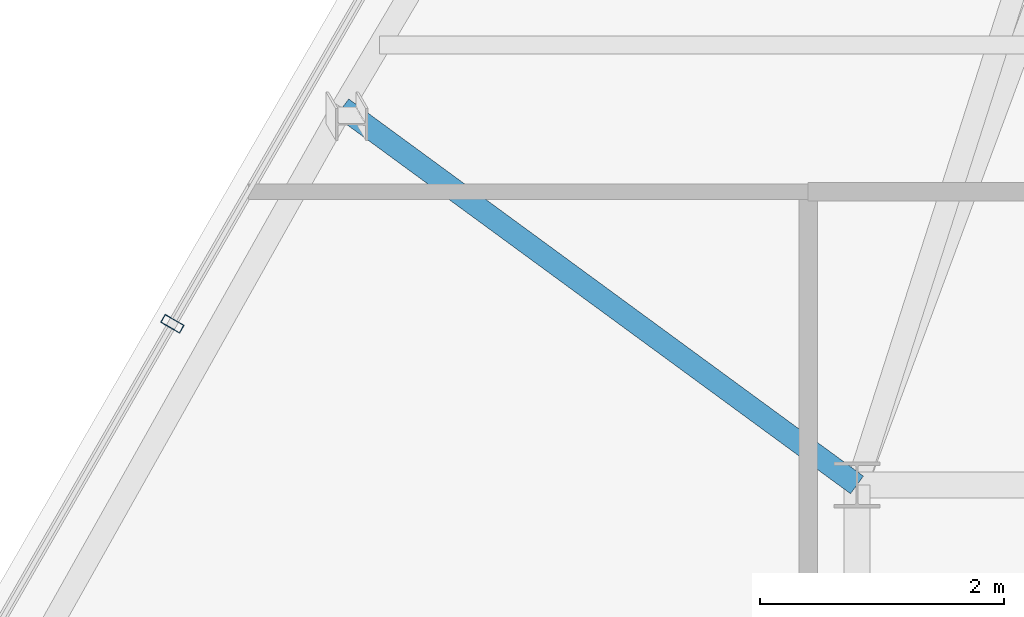
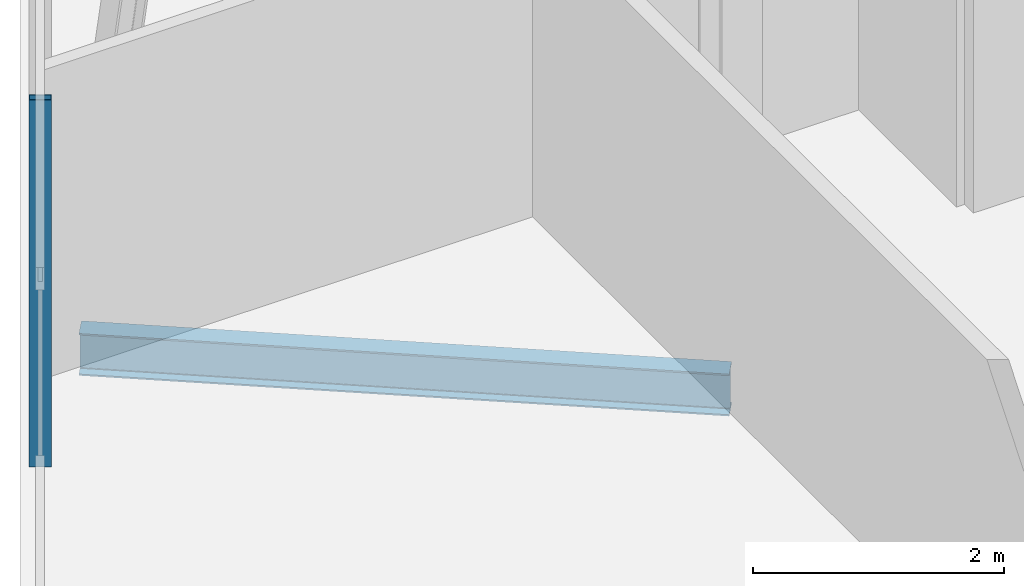
# One storey, part 11 of 32: 1 beam, 1 member, 1 element without a shape of its own.
"""IFC4 building model written with IfcOpenShell, lengths in metres."""

from ifc_helpers import new_model, si_unit, direction, frame, origin, origin_2d, place, context, subcontext, project, spatial, hollow_rectangle, i_section, extrude, material, layer, layer_set, material_profile, profile_set, type_object, element, aggregate, save


model = new_model("IFC4")

# Units and contexts
model_context = context("Model", 3, precision=1e-05, world=origin(), true_north=direction((0.0, 1.0)))
body_context = subcontext(model_context, "Body", "Model", "MODEL_VIEW")
ifc_project = project(units=[si_unit("LENGTHUNIT", "METRE"), si_unit("AREAUNIT", "SQUARE_METRE"), si_unit("VOLUMEUNIT", "CUBIC_METRE"), si_unit("PLANEANGLEUNIT", "RADIAN"), si_unit("MASSUNIT", "GRAM", prefix="KILO")], contexts=[model_context])

# Site, building, storey
site_placement = place(None, origin())
site = spatial("IfcSite", under=ifc_project, at=site_placement, CompositionType="ELEMENT")
building_placement = place(site_placement, origin())
building = spatial("IfcBuilding", under=site, at=building_placement, Name="Ndaravel Arena Tower", CompositionType="ELEMENT")
storey_placement = place(building_placement, frame((0.0, 0.0, 290.89990234375)))
storey = spatial("IfcBuildingStorey", under=building, at=storey_placement, Name="L71", CompositionType="ELEMENT", Elevation=290.89990234375)

# Beam
ifc_material_1 = material(Name="Steel S355", Category="steel")
ifc_material_profile_1 = material_profile(ifc_material_1, i_section(OverallWidth=0.1787109375, OverallDepth=0.409423828125, WebThickness=0.0087890625, FlangeThickness=0.014404296875, FilletRadius=0.01025390625, at=origin_2d()), Name="UB 406x178x67")
ifc_profile_set_1 = profile_set([ifc_material_profile_1], Name="Steel S355")
beam_type = type_object("IfcBeamType", Name="BM-GIRD-UB406", PredefinedType="BEAM", material=ifc_profile_set_1)
beam_placement = place(storey_placement, frame((29.9873046875, 26.286865234375, -0.424560546875), z_axis=(0.806620438132, -0.59106976643, 0.0), x_axis=(0.59106976643, 0.806620438132, 0.0)))
element("IfcBeam", 1, at=beam_placement, inside=storey, type_object=beam_type, Name="L71 Radial Floor Girder FG-19", PredefinedType="BEAM", context=body_context, shape_type="SweptSolid", body=[
    extrude(i_section(OverallWidth=0.1787109375, OverallDepth=0.409423828125, WebThickness=0.0087890625, FlangeThickness=0.014404296875, FilletRadius=0.01025390625, at=origin_2d()), origin(), (0.0, 0.0, 1.0), 5.22265625),
])

# Curtain wall, member
ifc_material_2 = material(Name="Aluminium", Category="aluminium")
ifc_layer = layer(ifc_material_2, 0.179931640625)
ifc_layer_set = layer_set([ifc_layer], Name="Aluminium")
curtain_wall_type = type_object("IfcCurtainWallType", Name="CW-SYS-03", PredefinedType="NOTDEFINED", material=ifc_layer_set)
curtain_wall_placement = place(storey_placement, origin())
curtain_wall = element("IfcCurtainWall", 2, at=curtain_wall_placement, inside=storey, type_object=curtain_wall_type, Name="L71 Faceted Crystal Curtain Wall CW-L71-E05", PredefinedType="NOTDEFINED")
ifc_material_3 = material(Name="Aluminium", Category="aluminium")
ifc_material_profile_2 = material_profile(ifc_material_3, hollow_rectangle(XDim=0.074951171875, YDim=0.179931640625, WallThickness=0.00390625, at=origin_2d()), Name="CW MULLION 75x180x4")
ifc_profile_set_2 = profile_set([ifc_material_profile_2], Name="Aluminium")
member_type = type_object("IfcMemberType", Name="MEM-CW-MUL180", PredefinedType="MULLION", material=ifc_profile_set_2)
member_placement = place(storey_placement, frame((28.596923828125, 24.518798828125, 0.0), z_axis=(0.0, 0.0, 1.0), x_axis=(-0.5, -0.866025403784, 0.0)))
member = element("IfcMember", 3, at=member_placement, type_object=member_type, Name="CW-L71-E05 Mullion 05", PredefinedType="MULLION", context=body_context, shape_type="SweptSolid", body=[
    extrude(hollow_rectangle(XDim=0.074951171875, YDim=0.179931640625, WallThickness=0.00390625, at=origin_2d()), origin(), (0.0, 0.0, 1.0), 3.580078125),
])
aggregate(curtain_wall, [member])

save(model, "model.ifc")
